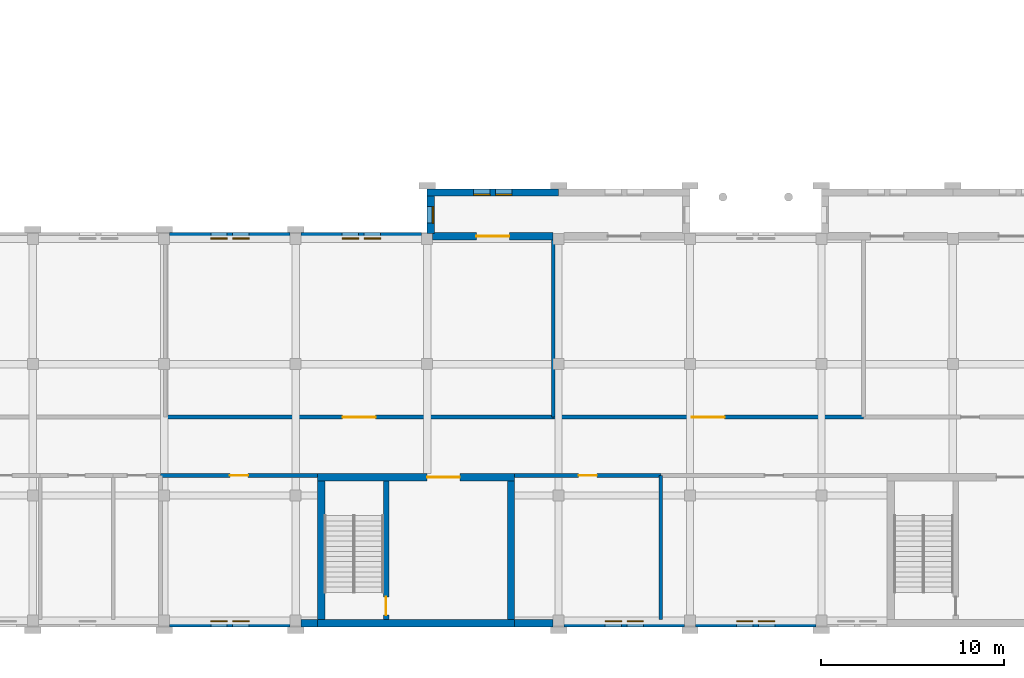
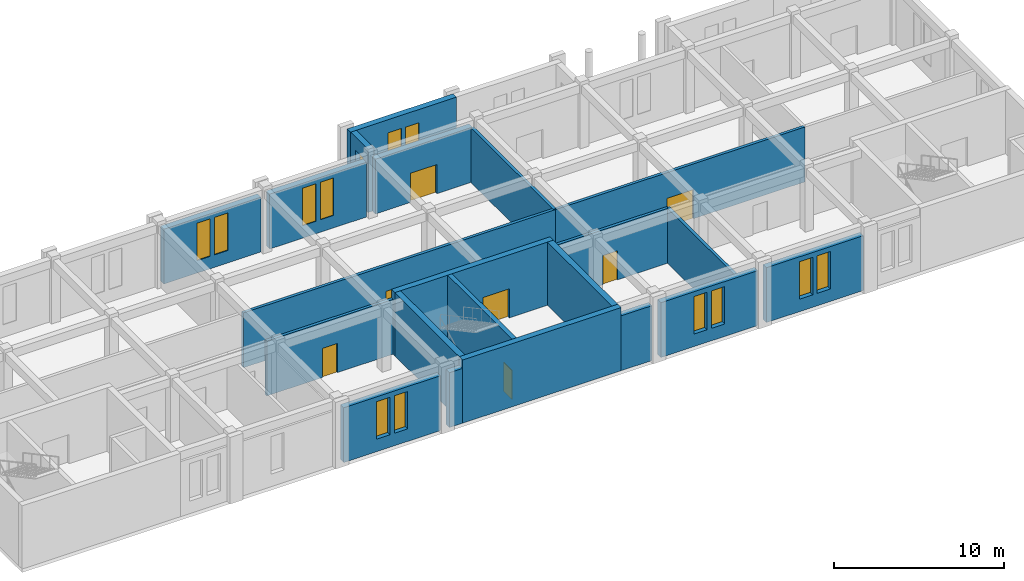
# One storey, part 137 of 149: 21 walls, 13 windows, 7 doors, 20 openings.
"""IFC4 building model written with IfcOpenShell, lengths in metres."""

from ifc_helpers import new_model, si_unit, direction, frame, frame_2d, origin, place, context, subcontext, project, spatial, rectangle, extrude, material, layer, layer_set, type_object, element, fill, save


model = new_model("IFC4")

# Units and contexts
model_context = context("Model", 3, precision=1e-05, world=origin(), true_north=direction((0.0, 1.0)))
body_context = subcontext(model_context, "Body", "Model", "MODEL_VIEW")
ifc_project = project(units=[si_unit("LENGTHUNIT", "METRE"), si_unit("AREAUNIT", "SQUARE_METRE"), si_unit("VOLUMEUNIT", "CUBIC_METRE"), si_unit("PLANEANGLEUNIT", "RADIAN"), si_unit("MASSUNIT", "GRAM", prefix="KILO")], contexts=[model_context])

# Site, building, storey
site_placement = place(None, origin())
site = spatial("IfcSite", under=ifc_project, at=site_placement, CompositionType="ELEMENT")
building_placement = place(site_placement, origin())
building = spatial("IfcBuilding", under=site, at=building_placement, Name="Alderwick Market Hall", CompositionType="ELEMENT")
storey_placement = place(building_placement, frame((0.0, 0.0, 9.60009765625)))
storey = spatial("IfcBuildingStorey", under=building, at=storey_placement, Name="L01", CompositionType="ELEMENT", Elevation=9.60009765625)

# Wall, openings, windows
ifc_material_1 = material(Name="Face brick", Category="masonry")
ifc_layer_1 = layer(ifc_material_1, 0.39990234375)
ifc_layer_set_1 = layer_set([ifc_layer_1], Name="Face brick")
wall_type_1 = type_object("IfcWallType", Name="C Brick Pier Wall 400", PredefinedType="SOLIDWALL", material=ifc_layer_set_1)
wall_1_placement = place(storey_placement, frame((180.300048828125, 28.60009765625, 0.0), z_axis=(0.0, 0.0, 1.0), x_axis=(1.0, 0.0, 0.0)))
wall_1 = element("IfcWall", 1, at=wall_1_placement, inside=storey, type_object=wall_type_1, Name="C.wall.L01.fac.front.04", PredefinedType="SOLIDWALL", context=body_context, shape_type="SweptSolid", body=[
    extrude(rectangle(XDim=6.599853515625, YDim=0.39990234375, at=frame_2d((3.2998046875, 0.0))), origin(), (0.0, 0.0, 1.0), 3.949951171875),
])
opening_1_placement = place(wall_1_placement, frame((2.25, 0.0, 0.89990234375)))
opening_1 = element("IfcOpeningElement", 2, at=opening_1_placement, cuts=wall_1, Name="Opening C-W031", PredefinedType="OPENING", context=body_context, shape_type="SweptSolid", body=[
    extrude(rectangle(XDim=0.89990234375, YDim=2.699951171875, at=frame_2d((0.449951171875, 1.35009765625))), frame((0.0, 0.2099609375, 0.0), z_axis=(0.0, -1.0, 0.0), x_axis=(1.0, 0.0, 0.0)), (0.0, 0.0, 1.0), 0.419921875),
])
opening_2_placement = place(wall_1_placement, frame((3.449951171875, 0.0, 0.89990234375)))
opening_2 = element("IfcOpeningElement", 3, at=opening_2_placement, cuts=wall_1, Name="Opening C-W032", PredefinedType="OPENING", context=body_context, shape_type="SweptSolid", body=[
    extrude(rectangle(XDim=0.89990234375, YDim=2.699951171875, at=frame_2d((0.449951171875, 1.35009765625))), frame((0.0, 0.2099609375, 0.0), z_axis=(0.0, -1.0, 0.0), x_axis=(1.0, 0.0, 0.0)), (0.0, 0.0, 1.0), 0.419921875),
])
ifc_material_2 = material(Name="Aluminium frame, double glazing", Category="aluminium")
window_type = type_object("IfcWindowType", Name="C Paired Window 900x2700", PartitioningType="SINGLE_PANEL", PredefinedType="WINDOW", material=ifc_material_2)
window_1_placement = place(opening_1_placement, origin())
window_1 = element("IfcWindow", 4, at=window_1_placement, inside=storey, type_object=window_type, Name="C.win.L01.031", OverallHeight=2.699951171875, OverallWidth=0.89990234375, PartitioningType="SINGLE_PANEL", PredefinedType="WINDOW", context=body_context, shape_type="SweptSolid", body=[
    extrude(rectangle(XDim=0.89990234375, YDim=2.699951171875, at=frame_2d((0.449951171875, 1.35009765625))), frame((0.0, -0.090087890625, 0.0), z_axis=(0.0, -1.0, 0.0), x_axis=(1.0, 0.0, 0.0)), (0.0, 0.0, 1.0), 0.06005859375),
])
fill(opening_1, window_1)
window_2_placement = place(opening_2_placement, origin())
window_2 = element("IfcWindow", 5, at=window_2_placement, inside=storey, type_object=window_type, Name="C.win.L01.032", OverallHeight=2.699951171875, OverallWidth=0.89990234375, PartitioningType="SINGLE_PANEL", PredefinedType="WINDOW", context=body_context, shape_type="SweptSolid", body=[
    extrude(rectangle(XDim=0.89990234375, YDim=2.699951171875, at=frame_2d((0.449951171875, 1.35009765625))), frame((0.0, -0.090087890625, 0.0), z_axis=(0.0, -1.0, 0.0), x_axis=(1.0, 0.0, 0.0)), (0.0, 0.0, 1.0), 0.06005859375),
])
fill(opening_2, window_2)

wall_2_placement = place(storey_placement, frame((187.5, 28.60009765625, 0.0), z_axis=(0.0, 0.0, 1.0), x_axis=(1.0, 0.0, 0.0)))
wall_2 = element("IfcWall", 6, at=wall_2_placement, inside=storey, type_object=wall_type_1, Name="C.wall.L01.fac.front.05", PredefinedType="SOLIDWALL", context=body_context, shape_type="SweptSolid", body=[
    extrude(rectangle(XDim=6.60009765625, YDim=0.39990234375, at=frame_2d((3.300048828125, 0.0))), origin(), (0.0, 0.0, 1.0), 3.949951171875),
])
opening_3_placement = place(wall_2_placement, frame((2.25, 0.0, 0.89990234375)))
opening_3 = element("IfcOpeningElement", 7, at=opening_3_placement, cuts=wall_2, Name="Opening C-W033", PredefinedType="OPENING", context=body_context, shape_type="SweptSolid", body=[
    extrude(rectangle(XDim=0.89990234375, YDim=2.699951171875, at=frame_2d((0.449951171875, 1.35009765625))), frame((0.0, 0.2099609375, 0.0), z_axis=(0.0, -1.0, 0.0), x_axis=(1.0, 0.0, 0.0)), (0.0, 0.0, 1.0), 0.419921875),
])
opening_4_placement = place(wall_2_placement, frame((3.449951171875, 0.0, 0.89990234375)))
opening_4 = element("IfcOpeningElement", 8, at=opening_4_placement, cuts=wall_2, Name="Opening C-W034", PredefinedType="OPENING", context=body_context, shape_type="SweptSolid", body=[
    extrude(rectangle(XDim=0.89990234375, YDim=2.699951171875, at=frame_2d((0.449951171875, 1.35009765625))), frame((0.0, 0.2099609375, 0.0), z_axis=(0.0, -1.0, 0.0), x_axis=(1.0, 0.0, 0.0)), (0.0, 0.0, 1.0), 0.419921875),
])
window_3_placement = place(opening_3_placement, origin())
window_3 = element("IfcWindow", 9, at=window_3_placement, inside=storey, type_object=window_type, Name="C.win.L01.033", OverallHeight=2.699951171875, OverallWidth=0.89990234375, PartitioningType="SINGLE_PANEL", PredefinedType="WINDOW", context=body_context, shape_type="SweptSolid", body=[
    extrude(rectangle(XDim=0.89990234375, YDim=2.699951171875, at=frame_2d((0.449951171875, 1.35009765625))), frame((0.0, -0.090087890625, 0.0), z_axis=(0.0, -1.0, 0.0), x_axis=(1.0, 0.0, 0.0)), (0.0, 0.0, 1.0), 0.06005859375),
])
fill(opening_3, window_3)
window_4_placement = place(opening_4_placement, origin())
window_4 = element("IfcWindow", 10, at=window_4_placement, inside=storey, type_object=window_type, Name="C.win.L01.034", OverallHeight=2.699951171875, OverallWidth=0.89990234375, PartitioningType="SINGLE_PANEL", PredefinedType="WINDOW", context=body_context, shape_type="SweptSolid", body=[
    extrude(rectangle(XDim=0.89990234375, YDim=2.699951171875, at=frame_2d((0.449951171875, 1.35009765625))), frame((0.0, -0.090087890625, 0.0), z_axis=(0.0, -1.0, 0.0), x_axis=(1.0, 0.0, 0.0)), (0.0, 0.0, 1.0), 0.06005859375),
])
fill(opening_4, window_4)

# Wall, opening, door
wall_3_placement = place(storey_placement, frame((194.699951171875, 28.60009765625, 0.0), z_axis=(0.0, 0.0, 1.0), x_axis=(1.0, 0.0, 0.0)))
wall_3 = element("IfcWall", 11, at=wall_3_placement, inside=storey, type_object=wall_type_1, Name="C.wall.L01.fac.front.06", PredefinedType="SOLIDWALL", context=body_context, shape_type="SweptSolid", body=[
    extrude(rectangle(XDim=6.60009765625, YDim=0.39990234375, at=frame_2d((3.300048828125, 0.0))), origin(), (0.0, 0.0, 1.0), 3.949951171875),
])
opening_5_placement = place(wall_3_placement, frame((2.39990234375, 0.0, 0.0)))
opening_5 = element("IfcOpeningElement", 12, at=opening_5_placement, cuts=wall_3, Name="Opening C-D010", PredefinedType="OPENING", context=body_context, shape_type="SweptSolid", body=[
    extrude(rectangle(XDim=1.800048828125, YDim=2.10009765625, at=frame_2d((0.89990234375, 1.050048828125))), frame((0.0, 0.2099609375, 0.0), z_axis=(0.0, -1.0, 0.0), x_axis=(1.0, 0.0, 0.0)), (0.0, 0.0, 1.0), 0.419921875),
])
ifc_material_3 = material(Name="Timber, solid core", Category="wood")
door_type_1 = type_object("IfcDoorType", Name="C Door Pair 1800x2100", OperationType="NOTDEFINED", PredefinedType="DOOR", material=ifc_material_3)
door_1_placement = place(opening_5_placement, origin())
door_1 = element("IfcDoor", 13, at=door_1_placement, inside=storey, type_object=door_type_1, Name="C.door.L01.010", OperationType="NOTDEFINED", OverallHeight=2.10009765625, OverallWidth=1.800048828125, PredefinedType="DOOR", context=body_context, shape_type="SweptSolid", body=[
    extrude(rectangle(XDim=1.800048828125, YDim=2.10009765625, at=frame_2d((0.89990234375, 1.050048828125))), frame((0.0, 0.02490234375, 0.0), z_axis=(0.0, -1.0, 0.0), x_axis=(1.0, 0.0, 0.0)), (0.0, 0.0, 1.0), 0.050048828125),
])
fill(opening_5, door_1)

# Wall, openings, windows
wall_4_placement = place(storey_placement, frame((186.89990234375, 7.39990234375, 0.0), z_axis=(0.0, 0.0, 1.0), x_axis=(-1.0, 0.0, 0.0)))
wall_4 = element("IfcWall", 14, at=wall_4_placement, inside=storey, type_object=wall_type_1, Name="C.wall.L01.fac.back.04", PredefinedType="SOLIDWALL", context=body_context, shape_type="SweptSolid", body=[
    extrude(rectangle(XDim=6.599853515625, YDim=0.39990234375, at=frame_2d((3.2998046875, 0.0))), origin(), (0.0, 0.0, 1.0), 3.949951171875),
])
opening_6_placement = place(wall_4_placement, frame((2.25, 0.0, 0.89990234375)))
opening_6 = element("IfcOpeningElement", 15, at=opening_6_placement, cuts=wall_4, Name="Opening C-W043", PredefinedType="OPENING", context=body_context, shape_type="SweptSolid", body=[
    extrude(rectangle(XDim=0.89990234375, YDim=2.699951171875, at=frame_2d((0.449951171875, 1.35009765625))), frame((0.0, 0.2099609375, 0.0), z_axis=(0.0, -1.0, 0.0), x_axis=(1.0, 0.0, 0.0)), (0.0, 0.0, 1.0), 0.419921875),
])
opening_7_placement = place(wall_4_placement, frame((3.449951171875, 0.0, 0.89990234375)))
opening_7 = element("IfcOpeningElement", 16, at=opening_7_placement, cuts=wall_4, Name="Opening C-W044", PredefinedType="OPENING", context=body_context, shape_type="SweptSolid", body=[
    extrude(rectangle(XDim=0.89990234375, YDim=2.699951171875, at=frame_2d((0.449951171875, 1.35009765625))), frame((0.0, 0.2099609375, 0.0), z_axis=(0.0, -1.0, 0.0), x_axis=(1.0, 0.0, 0.0)), (0.0, 0.0, 1.0), 0.419921875),
])
window_5_placement = place(opening_6_placement, origin())
window_5 = element("IfcWindow", 17, at=window_5_placement, inside=storey, type_object=window_type, Name="C.win.L01.043", OverallHeight=2.699951171875, OverallWidth=0.89990234375, PartitioningType="SINGLE_PANEL", PredefinedType="WINDOW", context=body_context, shape_type="SweptSolid", body=[
    extrude(rectangle(XDim=0.89990234375, YDim=2.699951171875, at=frame_2d((0.449951171875, 1.35009765625))), frame((0.0, -0.090087890625, 0.0), z_axis=(0.0, -1.0, 0.0), x_axis=(1.0, 0.0, 0.0)), (0.0, 0.0, 1.0), 0.06005859375),
])
fill(opening_6, window_5)
window_6_placement = place(opening_7_placement, origin())
window_6 = element("IfcWindow", 18, at=window_6_placement, inside=storey, type_object=window_type, Name="C.win.L01.044", OverallHeight=2.699951171875, OverallWidth=0.89990234375, PartitioningType="SINGLE_PANEL", PredefinedType="WINDOW", context=body_context, shape_type="SweptSolid", body=[
    extrude(rectangle(XDim=0.89990234375, YDim=2.699951171875, at=frame_2d((0.449951171875, 1.35009765625))), frame((0.0, -0.090087890625, 0.0), z_axis=(0.0, -1.0, 0.0), x_axis=(1.0, 0.0, 0.0)), (0.0, 0.0, 1.0), 0.06005859375),
])
fill(opening_7, window_6)

# Walls
wall_5_placement = place(storey_placement, frame((188.39990234375, 7.39990234375, 0.0), z_axis=(0.0, 0.0, 1.0), x_axis=(-1.0, 0.0, 0.0)))
element("IfcWall", 19, at=wall_5_placement, inside=storey, type_object=wall_type_1, Name="C.wall.L01.fac.back.05", PredefinedType="SOLIDWALL", context=body_context, shape_type="SweptSolid", body=[
    extrude(rectangle(XDim=0.89990234375, YDim=0.39990234375, at=frame_2d((0.449951171875, 0.0))), origin(), (0.0, 0.0, 1.0), 3.949951171875),
])
wall_6_placement = place(storey_placement, frame((201.300048828125, 7.39990234375, 0.0), z_axis=(0.0, 0.0, 1.0), x_axis=(-1.0, 0.0, 0.0)))
element("IfcWall", 20, at=wall_6_placement, inside=storey, type_object=wall_type_1, Name="C.wall.L01.fac.back.07", PredefinedType="SOLIDWALL", context=body_context, shape_type="SweptSolid", body=[
    extrude(rectangle(XDim=2.10009765625, YDim=0.39990234375, at=frame_2d((1.050048828125, 0.0))), origin(), (0.0, 0.0, 1.0), 3.949951171875),
])

# Wall, openings, windows
wall_7_placement = place(storey_placement, frame((208.5, 7.39990234375, 0.0), z_axis=(0.0, 0.0, 1.0), x_axis=(-1.0, 0.0, 0.0)))
wall_7 = element("IfcWall", 21, at=wall_7_placement, inside=storey, type_object=wall_type_1, Name="C.wall.L01.fac.back.08", PredefinedType="SOLIDWALL", context=body_context, shape_type="SweptSolid", body=[
    extrude(rectangle(XDim=6.60009765625, YDim=0.39990234375, at=frame_2d((3.300048828125, 0.0))), origin(), (0.0, 0.0, 1.0), 3.949951171875),
])
opening_8_placement = place(wall_7_placement, frame((2.25, 0.0, 0.89990234375)))
opening_8 = element("IfcOpeningElement", 22, at=opening_8_placement, cuts=wall_7, Name="Opening C-W045", PredefinedType="OPENING", context=body_context, shape_type="SweptSolid", body=[
    extrude(rectangle(XDim=0.89990234375, YDim=2.699951171875, at=frame_2d((0.449951171875, 1.35009765625))), frame((0.0, 0.2099609375, 0.0), z_axis=(0.0, -1.0, 0.0), x_axis=(1.0, 0.0, 0.0)), (0.0, 0.0, 1.0), 0.419921875),
])
opening_9_placement = place(wall_7_placement, frame((3.449951171875, 0.0, 0.89990234375)))
opening_9 = element("IfcOpeningElement", 23, at=opening_9_placement, cuts=wall_7, Name="Opening C-W046", PredefinedType="OPENING", context=body_context, shape_type="SweptSolid", body=[
    extrude(rectangle(XDim=0.89990234375, YDim=2.699951171875, at=frame_2d((0.449951171875, 1.35009765625))), frame((0.0, 0.2099609375, 0.0), z_axis=(0.0, -1.0, 0.0), x_axis=(1.0, 0.0, 0.0)), (0.0, 0.0, 1.0), 0.419921875),
])
window_7_placement = place(opening_8_placement, origin())
window_7 = element("IfcWindow", 24, at=window_7_placement, inside=storey, type_object=window_type, Name="C.win.L01.045", OverallHeight=2.699951171875, OverallWidth=0.89990234375, PartitioningType="SINGLE_PANEL", PredefinedType="WINDOW", context=body_context, shape_type="SweptSolid", body=[
    extrude(rectangle(XDim=0.89990234375, YDim=2.699951171875, at=frame_2d((0.449951171875, 1.35009765625))), frame((0.0, -0.090087890625, 0.0), z_axis=(0.0, -1.0, 0.0), x_axis=(1.0, 0.0, 0.0)), (0.0, 0.0, 1.0), 0.06005859375),
])
fill(opening_8, window_7)
window_8_placement = place(opening_9_placement, origin())
window_8 = element("IfcWindow", 25, at=window_8_placement, inside=storey, type_object=window_type, Name="C.win.L01.046", OverallHeight=2.699951171875, OverallWidth=0.89990234375, PartitioningType="SINGLE_PANEL", PredefinedType="WINDOW", context=body_context, shape_type="SweptSolid", body=[
    extrude(rectangle(XDim=0.89990234375, YDim=2.699951171875, at=frame_2d((0.449951171875, 1.35009765625))), frame((0.0, -0.090087890625, 0.0), z_axis=(0.0, -1.0, 0.0), x_axis=(1.0, 0.0, 0.0)), (0.0, 0.0, 1.0), 0.06005859375),
])
fill(opening_9, window_8)

wall_8_placement = place(storey_placement, frame((215.699951171875, 7.39990234375, 0.0), z_axis=(0.0, 0.0, 1.0), x_axis=(-1.0, 0.0, 0.0)))
wall_8 = element("IfcWall", 26, at=wall_8_placement, inside=storey, type_object=wall_type_1, Name="C.wall.L01.fac.back.09", PredefinedType="SOLIDWALL", context=body_context, shape_type="SweptSolid", body=[
    extrude(rectangle(XDim=6.599853515625, YDim=0.39990234375, at=frame_2d((3.2998046875, 0.0))), origin(), (0.0, 0.0, 1.0), 3.949951171875),
])
opening_10_placement = place(wall_8_placement, frame((2.25, 0.0, 0.89990234375)))
opening_10 = element("IfcOpeningElement", 27, at=opening_10_placement, cuts=wall_8, Name="Opening C-W047", PredefinedType="OPENING", context=body_context, shape_type="SweptSolid", body=[
    extrude(rectangle(XDim=0.89990234375, YDim=2.699951171875, at=frame_2d((0.449951171875, 1.35009765625))), frame((0.0, 0.2099609375, 0.0), z_axis=(0.0, -1.0, 0.0), x_axis=(1.0, 0.0, 0.0)), (0.0, 0.0, 1.0), 0.419921875),
])
opening_11_placement = place(wall_8_placement, frame((3.449951171875, 0.0, 0.89990234375)))
opening_11 = element("IfcOpeningElement", 28, at=opening_11_placement, cuts=wall_8, Name="Opening C-W048", PredefinedType="OPENING", context=body_context, shape_type="SweptSolid", body=[
    extrude(rectangle(XDim=0.89990234375, YDim=2.699951171875, at=frame_2d((0.449951171875, 1.35009765625))), frame((0.0, 0.2099609375, 0.0), z_axis=(0.0, -1.0, 0.0), x_axis=(1.0, 0.0, 0.0)), (0.0, 0.0, 1.0), 0.419921875),
])
window_9_placement = place(opening_10_placement, origin())
window_9 = element("IfcWindow", 29, at=window_9_placement, inside=storey, type_object=window_type, Name="C.win.L01.047", OverallHeight=2.699951171875, OverallWidth=0.89990234375, PartitioningType="SINGLE_PANEL", PredefinedType="WINDOW", context=body_context, shape_type="SweptSolid", body=[
    extrude(rectangle(XDim=0.89990234375, YDim=2.699951171875, at=frame_2d((0.449951171875, 1.35009765625))), frame((0.0, -0.090087890625, 0.0), z_axis=(0.0, -1.0, 0.0), x_axis=(1.0, 0.0, 0.0)), (0.0, 0.0, 1.0), 0.06005859375),
])
fill(opening_10, window_9)
window_10_placement = place(opening_11_placement, origin())
window_10 = element("IfcWindow", 30, at=window_10_placement, inside=storey, type_object=window_type, Name="C.win.L01.048", OverallHeight=2.699951171875, OverallWidth=0.89990234375, PartitioningType="SINGLE_PANEL", PredefinedType="WINDOW", context=body_context, shape_type="SweptSolid", body=[
    extrude(rectangle(XDim=0.89990234375, YDim=2.699951171875, at=frame_2d((0.449951171875, 1.35009765625))), frame((0.0, -0.090087890625, 0.0), z_axis=(0.0, -1.0, 0.0), x_axis=(1.0, 0.0, 0.0)), (0.0, 0.0, 1.0), 0.06005859375),
])
fill(opening_11, window_10)

wall_9_placement = place(storey_placement, frame((194.39990234375, 31.0, 0.0), z_axis=(0.0, 0.0, 1.0), x_axis=(1.0, 0.0, 0.0)))
wall_9 = element("IfcWall", 31, at=wall_9_placement, inside=storey, type_object=wall_type_1, Name="C.wall.L01.pav1.front.01", PredefinedType="SOLIDWALL", context=body_context, shape_type="SweptSolid", body=[
    extrude(rectangle(XDim=7.2001953125, YDim=0.39990234375, at=frame_2d((3.60009765625, 0.0))), origin(), (0.0, 0.0, 1.0), 4.5498046875),
])
opening_12_placement = place(wall_9_placement, frame((2.550048828125, 0.0, 0.89990234375)))
opening_12 = element("IfcOpeningElement", 32, at=opening_12_placement, cuts=wall_9, Name="Opening C-W076", PredefinedType="OPENING", context=body_context, shape_type="SweptSolid", body=[
    extrude(rectangle(XDim=0.89990234375, YDim=2.699951171875, at=frame_2d((0.449951171875, 1.35009765625))), frame((0.0, 0.2099609375, 0.0), z_axis=(0.0, -1.0, 0.0), x_axis=(1.0, 0.0, 0.0)), (0.0, 0.0, 1.0), 0.419921875),
])
opening_13_placement = place(wall_9_placement, frame((3.75, 0.0, 0.89990234375)))
opening_13 = element("IfcOpeningElement", 33, at=opening_13_placement, cuts=wall_9, Name="Opening C-W077", PredefinedType="OPENING", context=body_context, shape_type="SweptSolid", body=[
    extrude(rectangle(XDim=0.89990234375, YDim=2.699951171875, at=frame_2d((0.449951171875, 1.35009765625))), frame((0.0, 0.2099609375, 0.0), z_axis=(0.0, -1.0, 0.0), x_axis=(1.0, 0.0, 0.0)), (0.0, 0.0, 1.0), 0.419921875),
])
window_11_placement = place(opening_12_placement, origin())
window_11 = element("IfcWindow", 34, at=window_11_placement, inside=storey, type_object=window_type, Name="C.win.L01.076", OverallHeight=2.699951171875, OverallWidth=0.89990234375, PartitioningType="SINGLE_PANEL", PredefinedType="WINDOW", context=body_context, shape_type="SweptSolid", body=[
    extrude(rectangle(XDim=0.89990234375, YDim=2.699951171875, at=frame_2d((0.449951171875, 1.35009765625))), frame((0.0, -0.090087890625, 0.0), z_axis=(0.0, -1.0, 0.0), x_axis=(1.0, 0.0, 0.0)), (0.0, 0.0, 1.0), 0.06005859375),
])
fill(opening_12, window_11)
window_12_placement = place(opening_13_placement, origin())
window_12 = element("IfcWindow", 35, at=window_12_placement, inside=storey, type_object=window_type, Name="C.win.L01.077", OverallHeight=2.699951171875, OverallWidth=0.89990234375, PartitioningType="SINGLE_PANEL", PredefinedType="WINDOW", context=body_context, shape_type="SweptSolid", body=[
    extrude(rectangle(XDim=0.89990234375, YDim=2.699951171875, at=frame_2d((0.449951171875, 1.35009765625))), frame((0.0, -0.090087890625, 0.0), z_axis=(0.0, -1.0, 0.0), x_axis=(1.0, 0.0, 0.0)), (0.0, 0.0, 1.0), 0.06005859375),
])
fill(opening_13, window_12)

# Wall, opening, window
wall_10_placement = place(storey_placement, frame((194.60009765625, 28.75, 0.0), z_axis=(0.0, 0.0, 1.0), x_axis=(0.0, 1.0, 0.0)))
wall_10 = element("IfcWall", 36, at=wall_10_placement, inside=storey, type_object=wall_type_1, Name="C.wall.L01.pav1.west.01", PredefinedType="SOLIDWALL", context=body_context, shape_type="SweptSolid", body=[
    extrude(rectangle(XDim=2.050048828125, YDim=0.39990234375, at=frame_2d((1.02490234375, 0.0))), origin(), (0.0, 0.0, 1.0), 4.5498046875),
])
opening_14_placement = place(wall_10_placement, frame((0.574951171875, 0.0, 0.89990234375)))
opening_14 = element("IfcOpeningElement", 37, at=opening_14_placement, cuts=wall_10, Name="Opening C-W080", PredefinedType="OPENING", context=body_context, shape_type="SweptSolid", body=[
    extrude(rectangle(XDim=0.89990234375, YDim=2.699951171875, at=frame_2d((0.449951171875, 1.35009765625))), frame((0.0, 0.2099609375, 0.0), z_axis=(0.0, -1.0, 0.0), x_axis=(1.0, 0.0, 0.0)), (0.0, 0.0, 1.0), 0.419921875),
])
window_13_placement = place(opening_14_placement, origin())
window_13 = element("IfcWindow", 38, at=window_13_placement, inside=storey, type_object=window_type, Name="C.win.L01.080", OverallHeight=2.699951171875, OverallWidth=0.89990234375, PartitioningType="SINGLE_PANEL", PredefinedType="WINDOW", context=body_context, shape_type="SweptSolid", body=[
    extrude(rectangle(XDim=0.89990234375, YDim=2.699951171875, at=frame_2d((0.449951171875, 1.35009765625))), frame((0.0, -0.090087890625, 0.0), z_axis=(0.0, -1.0, 0.0), x_axis=(1.0, 0.0, 0.0)), (0.0, 0.0, 1.0), 0.06005859375),
])
fill(opening_14, window_13)

# Wall
ifc_material_4 = material(Name="Concrete 5000 psi (f'c 35 MPa)", Category="concrete")
ifc_layer_2 = layer(ifc_material_4, 0.39990234375)
ifc_layer_set_2 = layer_set([ifc_layer_2], Name="Concrete 5000 psi (f'c 35 MPa)")
wall_type_2 = type_object("IfcWallType", Name="C Core Wall Concrete 5000 psi 400", PredefinedType="SHEAR", material=ifc_layer_set_2)
wall_11_placement = place(storey_placement, frame((199.199951171875, 7.39990234375, 0.0), z_axis=(0.0, 0.0, 1.0), x_axis=(-1.0, 0.0, 0.0)))
element("IfcWall", 39, at=wall_11_placement, inside=storey, type_object=wall_type_2, Name="C.wall.L01.fac.back.06", PredefinedType="SHEAR", context=body_context, shape_type="SweptSolid", body=[
    extrude(rectangle(XDim=10.800048828125, YDim=0.39990234375, at=frame_2d((5.39990234375, 0.0))), origin(), (0.0, 0.0, 1.0), 4.5498046875),
])

# Wall, opening, door
wall_12_placement = place(storey_placement, frame((188.39990234375, 15.39990234375, 0.0), z_axis=(0.0, 0.0, 1.0), x_axis=(1.0, 0.0, 0.0)))
wall_12 = element("IfcWall", 40, at=wall_12_placement, inside=storey, type_object=wall_type_2, Name="C.wall.L01.core.B.front.01", PredefinedType="SHEAR", context=body_context, shape_type="SweptSolid", body=[
    extrude(rectangle(XDim=10.800048828125, YDim=0.39990234375, at=frame_2d((5.39990234375, 0.0))), origin(), (0.0, 0.0, 1.0), 4.5498046875),
])
opening_15_placement = place(wall_12_placement, frame((6.0, 0.0, 0.0)))
opening_15 = element("IfcOpeningElement", 41, at=opening_15_placement, cuts=wall_12, Name="Opening C-D058", PredefinedType="OPENING", context=body_context, shape_type="SweptSolid", body=[
    extrude(rectangle(XDim=1.800048828125, YDim=2.10009765625, at=frame_2d((0.89990234375, 1.050048828125))), frame((0.0, 0.2099609375, 0.0), z_axis=(0.0, -1.0, 0.0), x_axis=(1.0, 0.0, 0.0)), (0.0, 0.0, 1.0), 0.419921875),
])
ifc_material_5 = material(Name="Steel, insulated", Category="steel")
door_type_2 = type_object("IfcDoorType", Name="C Fire Door Pair FD90 1800x2100", OperationType="NOTDEFINED", PredefinedType="DOOR", material=ifc_material_5)
door_2_placement = place(opening_15_placement, origin())
door_2 = element("IfcDoor", 42, at=door_2_placement, inside=storey, type_object=door_type_2, Name="C.door.L01.058", OperationType="NOTDEFINED", OverallHeight=2.10009765625, OverallWidth=1.800048828125, PredefinedType="DOOR", context=body_context, shape_type="SweptSolid", body=[
    extrude(rectangle(XDim=1.800048828125, YDim=2.10009765625, at=frame_2d((0.89990234375, 1.050048828125))), frame((0.0, 0.02490234375, 0.0), z_axis=(0.0, -1.0, 0.0), x_axis=(1.0, 0.0, 0.0)), (0.0, 0.0, 1.0), 0.050048828125),
])
fill(opening_15, door_2)

# Walls
for number, where, z_axis, x_axis, name in (
    (43, (188.60009765625, 15.199951171875, 0.0), (0.0, 0.0, 1.0), (0.0, -1.0, 0.0), "C.wall.L01.core.B.west.01"),
    (44, (199.0, 15.199951171875, 0.0), (0.0, 0.0, 1.0), (0.0, -1.0, 0.0), "C.wall.L01.core.B.east.01"),
):
    element("IfcWall", number, at=place(storey_placement, frame(where, z_axis=z_axis, x_axis=x_axis)), inside=storey, type_object=wall_type_2, Name=name, PredefinedType="SHEAR", context=body_context, shape_type="SweptSolid", body=[
        extrude(rectangle(XDim=7.599853515625, YDim=0.39990234375, at=frame_2d((3.7998046875, 0.0))), origin(), (0.0, 0.0, 1.0), 4.5498046875),
    ])

# Wall, opening, door
ifc_material_6 = material(Name="Gypsum board on steel studs", Category="steel")
ifc_layer_3 = layer(ifc_material_6, 0.199951171875)
ifc_layer_set_3 = layer_set([ifc_layer_3], Name="Gypsum board on steel studs")
wall_type_3 = type_object("IfcWallType", Name="C Fire Partition Wall 200", PredefinedType="PARTITIONING", material=ifc_layer_set_3)
wall_13_placement = place(storey_placement, frame((180.050048828125, 18.699951171875, 0.0), z_axis=(0.0, 0.0, 1.0), x_axis=(1.0, 0.0, 0.0)))
wall_13 = element("IfcWall", 45, at=wall_13_placement, inside=storey, type_object=wall_type_3, Name="C.wall.L01.part.002", PredefinedType="PARTITIONING", context=body_context, shape_type="SweptSolid", body=[
    extrude(rectangle(XDim=21.25, YDim=0.199951171875, at=frame_2d((10.625, 0.0))), origin(), (0.0, 0.0, 1.0), 3.949951171875),
])
opening_16_placement = place(wall_13_placement, frame((9.72509765625, 0.0, 0.0)))
opening_16 = element("IfcOpeningElement", 46, at=opening_16_placement, cuts=wall_13, Name="Opening C-D063", PredefinedType="OPENING", context=body_context, shape_type="SweptSolid", body=[
    extrude(rectangle(XDim=1.800048828125, YDim=2.10009765625, at=frame_2d((0.89990234375, 1.050048828125))), frame((0.0, 0.10986328125, 0.0), z_axis=(0.0, -1.0, 0.0), x_axis=(1.0, 0.0, 0.0)), (0.0, 0.0, 1.0), 0.219970703125),
])
door_type_3 = type_object("IfcDoorType", Name="C Fire Door Pair FD60 1800x2100", OperationType="NOTDEFINED", PredefinedType="DOOR", material=ifc_material_5)
door_3_placement = place(opening_16_placement, origin())
door_3 = element("IfcDoor", 47, at=door_3_placement, inside=storey, type_object=door_type_3, Name="C.door.L01.063", OperationType="NOTDEFINED", OverallHeight=2.10009765625, OverallWidth=1.800048828125, PredefinedType="DOOR", context=body_context, shape_type="SweptSolid", body=[
    extrude(rectangle(XDim=1.800048828125, YDim=2.10009765625, at=frame_2d((0.89990234375, 1.050048828125))), frame((0.0, 0.02490234375, 0.0), z_axis=(0.0, -1.0, 0.0), x_axis=(1.0, 0.0, 0.0)), (0.0, 0.0, 1.0), 0.050048828125),
])
fill(opening_16, door_3)

wall_14_placement = place(storey_placement, frame((201.300048828125, 18.699951171875, 0.0), z_axis=(0.0, 0.0, 1.0), x_axis=(1.0, 0.0, 0.0)))
wall_14 = element("IfcWall", 48, at=wall_14_placement, inside=storey, type_object=wall_type_3, Name="C.wall.L01.part.003", PredefinedType="PARTITIONING", context=body_context, shape_type="SweptSolid", body=[
    extrude(rectangle(XDim=17.0, YDim=0.199951171875, at=frame_2d((8.5, 0.0))), origin(), (0.0, 0.0, 1.0), 3.949951171875),
])
opening_17_placement = place(wall_14_placement, frame((7.60009765625, 0.0, 0.0)))
opening_17 = element("IfcOpeningElement", 49, at=opening_17_placement, cuts=wall_14, Name="Opening C-D064", PredefinedType="OPENING", context=body_context, shape_type="SweptSolid", body=[
    extrude(rectangle(XDim=1.800048828125, YDim=2.10009765625, at=frame_2d((0.89990234375, 1.050048828125))), frame((0.0, 0.10986328125, 0.0), z_axis=(0.0, -1.0, 0.0), x_axis=(1.0, 0.0, 0.0)), (0.0, 0.0, 1.0), 0.219970703125),
])
door_4_placement = place(opening_17_placement, origin())
door_4 = element("IfcDoor", 50, at=door_4_placement, inside=storey, type_object=door_type_3, Name="C.door.L01.064", OperationType="NOTDEFINED", OverallHeight=2.10009765625, OverallWidth=1.800048828125, PredefinedType="DOOR", context=body_context, shape_type="SweptSolid", body=[
    extrude(rectangle(XDim=1.800048828125, YDim=2.10009765625, at=frame_2d((0.89990234375, 1.050048828125))), frame((0.0, 0.02490234375, 0.0), z_axis=(0.0, -1.0, 0.0), x_axis=(1.0, 0.0, 0.0)), (0.0, 0.0, 1.0), 0.050048828125),
])
fill(opening_17, door_4)

# Wall
wall_15_placement = place(storey_placement, frame((201.300048828125, 28.39990234375, 0.0), z_axis=(0.0, 0.0, 1.0), x_axis=(0.0, -1.0, 0.0)))
element("IfcWall", 51, at=wall_15_placement, inside=storey, type_object=wall_type_3, Name="C.wall.L01.part.017", PredefinedType="PARTITIONING", context=body_context, shape_type="SweptSolid", body=[
    extrude(rectangle(XDim=9.699951171875, YDim=0.199951171875, at=frame_2d((4.85009765625, 0.0))), origin(), (0.0, 0.0, 1.0), 3.949951171875),
])

# Wall, opening, door
ifc_layer_4 = layer(ifc_material_6, 0.199951171875)
ifc_layer_set_4 = layer_set([ifc_layer_4], Name="Gypsum board on steel studs")
wall_type_4 = type_object("IfcWallType", Name="C Partition Wall 200", PredefinedType="PARTITIONING", material=ifc_layer_set_4)
wall_16_placement = place(storey_placement, frame((179.800048828125, 15.5, 0.0), z_axis=(0.0, 0.0, 1.0), x_axis=(1.0, 0.0, 0.0)))
wall_16 = element("IfcWall", 52, at=wall_16_placement, inside=storey, type_object=wall_type_4, Name="C.wall.L01.part.008", PredefinedType="PARTITIONING", context=body_context, shape_type="SweptSolid", body=[
    extrude(rectangle(XDim=8.599853515625, YDim=0.199951171875, at=frame_2d((4.2998046875, 0.0))), origin(), (0.0, 0.0, 1.0), 3.949951171875),
])
opening_18_placement = place(wall_16_placement, frame((3.800048828125, 0.0, 0.0)))
opening_18 = element("IfcOpeningElement", 53, at=opening_18_placement, cuts=wall_16, Name="Opening C-D069", PredefinedType="OPENING", context=body_context, shape_type="SweptSolid", body=[
    extrude(rectangle(XDim=1.0, YDim=2.10009765625, at=frame_2d((0.5, 1.050048828125))), frame((0.0, 0.10986328125, 0.0), z_axis=(0.0, -1.0, 0.0), x_axis=(1.0, 0.0, 0.0)), (0.0, 0.0, 1.0), 0.219970703125),
])
door_type_4 = type_object("IfcDoorType", Name="C Door 1000x2100", OperationType="NOTDEFINED", PredefinedType="DOOR", material=ifc_material_3)
door_5_placement = place(opening_18_placement, origin())
door_5 = element("IfcDoor", 54, at=door_5_placement, inside=storey, type_object=door_type_4, Name="C.door.L01.069", OperationType="NOTDEFINED", OverallHeight=2.10009765625, OverallWidth=1.0, PredefinedType="DOOR", context=body_context, shape_type="SweptSolid", body=[
    extrude(rectangle(XDim=1.0, YDim=2.10009765625, at=frame_2d((0.5, 1.050048828125))), frame((0.0, 0.02490234375, 0.0), z_axis=(0.0, -1.0, 0.0), x_axis=(1.0, 0.0, 0.0)), (0.0, 0.0, 1.0), 0.050048828125),
])
fill(opening_18, door_5)

wall_17_placement = place(storey_placement, frame((199.199951171875, 15.5, 0.0), z_axis=(0.0, 0.0, 1.0), x_axis=(1.0, 0.0, 0.0)))
wall_17 = element("IfcWall", 55, at=wall_17_placement, inside=storey, type_object=wall_type_4, Name="C.wall.L01.part.009", PredefinedType="PARTITIONING", context=body_context, shape_type="SweptSolid", body=[
    extrude(rectangle(XDim=8.0, YDim=0.199951171875, at=frame_2d((4.0, 0.0))), origin(), (0.0, 0.0, 1.0), 3.949951171875),
])
opening_19_placement = place(wall_17_placement, frame((3.5, 0.0, 0.0)))
opening_19 = element("IfcOpeningElement", 56, at=opening_19_placement, cuts=wall_17, Name="Opening C-D070", PredefinedType="OPENING", context=body_context, shape_type="SweptSolid", body=[
    extrude(rectangle(XDim=1.0, YDim=2.10009765625, at=frame_2d((0.5, 1.050048828125))), frame((0.0, 0.10986328125, 0.0), z_axis=(0.0, -1.0, 0.0), x_axis=(1.0, 0.0, 0.0)), (0.0, 0.0, 1.0), 0.219970703125),
])
door_6_placement = place(opening_19_placement, origin())
door_6 = element("IfcDoor", 57, at=door_6_placement, inside=storey, type_object=door_type_4, Name="C.door.L01.070", OperationType="NOTDEFINED", OverallHeight=2.10009765625, OverallWidth=1.0, PredefinedType="DOOR", context=body_context, shape_type="SweptSolid", body=[
    extrude(rectangle(XDim=1.0, YDim=2.10009765625, at=frame_2d((0.5, 1.050048828125))), frame((0.0, 0.02490234375, 0.0), z_axis=(0.0, -1.0, 0.0), x_axis=(1.0, 0.0, 0.0)), (0.0, 0.0, 1.0), 0.050048828125),
])
fill(opening_19, door_6)

# Wall
wall_18_placement = place(storey_placement, frame((207.199951171875, 15.5, 0.0), z_axis=(0.0, 0.0, 1.0), x_axis=(0.0, -1.0, 0.0)))
element("IfcWall", 58, at=wall_18_placement, inside=storey, type_object=wall_type_4, Name="C.wall.L01.part.018", PredefinedType="PARTITIONING", context=body_context, shape_type="SweptSolid", body=[
    extrude(rectangle(XDim=7.89990234375, YDim=0.199951171875, at=frame_2d((3.949951171875, 0.0))), origin(), (0.0, 0.0, 1.0), 3.949951171875),
])

# Wall, opening, door
ifc_layer_5 = layer(ifc_material_4, 0.300048828125)
ifc_layer_set_5 = layer_set([ifc_layer_5], Name="Concrete 5000 psi (f'c 35 MPa)")
wall_type_5 = type_object("IfcWallType", Name="C Stair Divider Wall Concrete 5000 psi 300", PredefinedType="SHEAR", material=ifc_layer_set_5)
wall_19_placement = place(storey_placement, frame((192.14990234375, 15.199951171875, 0.0), z_axis=(0.0, 0.0, 1.0), x_axis=(0.0, -1.0, 0.0)))
wall_19 = element("IfcWall", 59, at=wall_19_placement, inside=storey, type_object=wall_type_5, Name="C.wall.L01.core.B.div.01", PredefinedType="SHEAR", context=body_context, shape_type="SweptSolid", body=[
    extrude(rectangle(XDim=7.599853515625, YDim=0.300048828125, at=frame_2d((3.7998046875, 0.0))), origin(), (0.0, 0.0, 1.0), 4.5498046875),
])
opening_20_placement = place(wall_19_placement, frame((6.35009765625, 0.0, 0.0)))
opening_20 = element("IfcOpeningElement", 60, at=opening_20_placement, cuts=wall_19, Name="Opening C-D057", PredefinedType="OPENING", context=body_context, shape_type="SweptSolid", body=[
    extrude(rectangle(XDim=1.0, YDim=2.10009765625, at=frame_2d((0.5, 1.050048828125))), frame((0.0, 0.159912109375, 0.0), z_axis=(0.0, -1.0, 0.0), x_axis=(1.0, 0.0, 0.0)), (0.0, 0.0, 1.0), 0.320068359375),
])
door_type_5 = type_object("IfcDoorType", Name="C Fire Door FD90 1000x2100", OperationType="NOTDEFINED", PredefinedType="DOOR", material=ifc_material_5)
door_7_placement = place(opening_20_placement, origin())
door_7 = element("IfcDoor", 61, at=door_7_placement, inside=storey, type_object=door_type_5, Name="C.door.L01.057", OperationType="NOTDEFINED", OverallHeight=2.10009765625, OverallWidth=1.0, PredefinedType="DOOR", context=body_context, shape_type="SweptSolid", body=[
    extrude(rectangle(XDim=1.0, YDim=2.10009765625, at=frame_2d((0.5, 1.050048828125))), frame((0.0, 0.02490234375, 0.0), z_axis=(0.0, -1.0, 0.0), x_axis=(1.0, 0.0, 0.0)), (0.0, 0.0, 1.0), 0.050048828125),
])
fill(opening_20, door_7)

save(model, "model.ifc")
